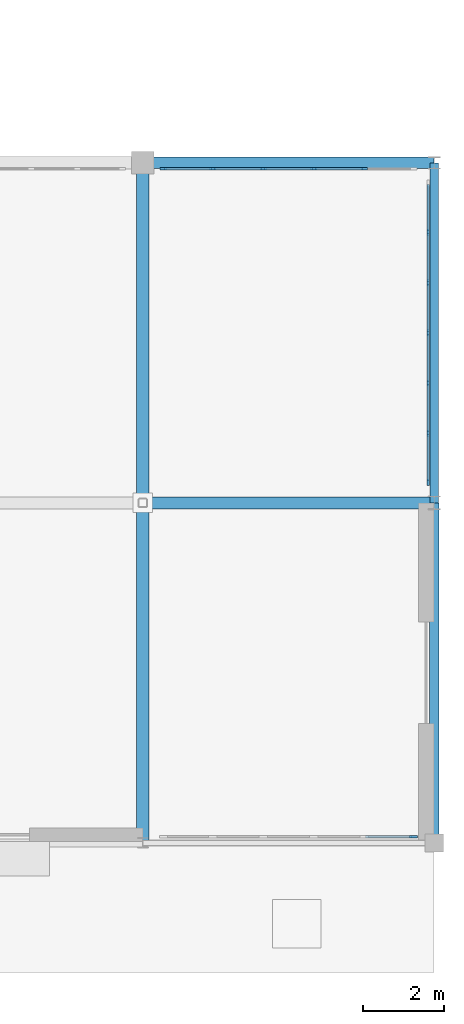
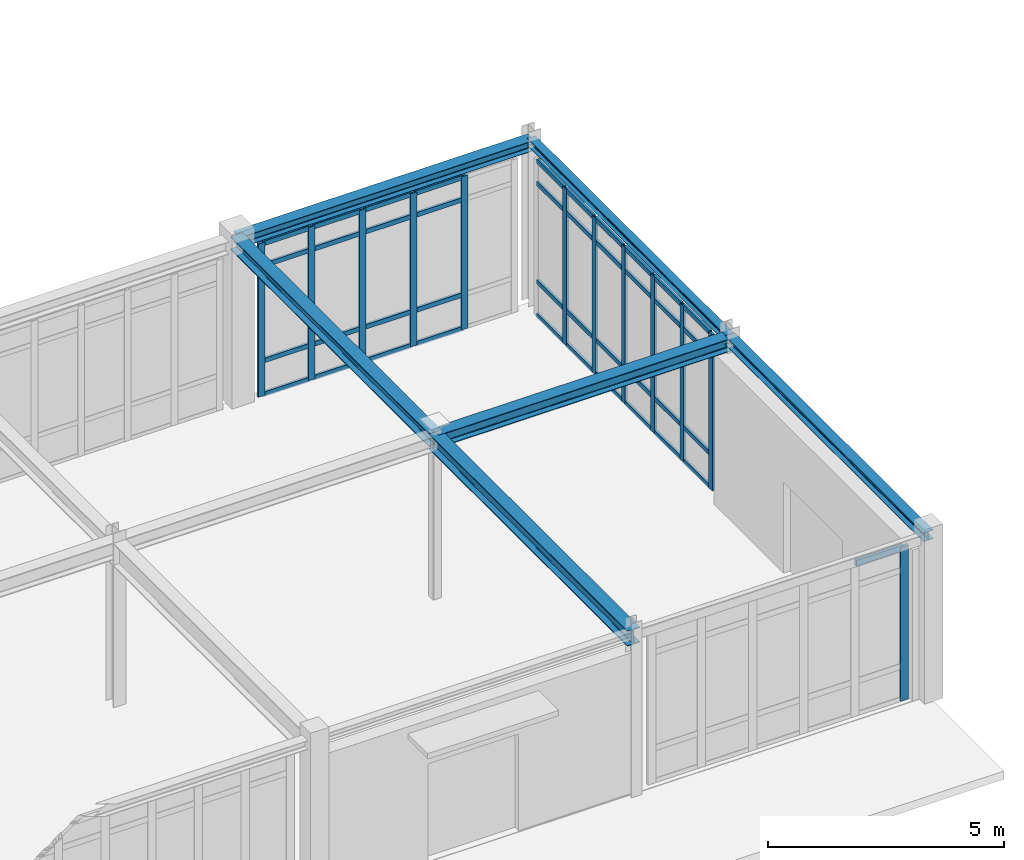
# One storey, part 54 of 101: 53 members, 6 beams, 3 elements without a shape of their own.
"""IFC4 building model written with IfcOpenShell, lengths in metres."""

from ifc_helpers import new_model, si_unit, derived_unit, direction, frame, origin, origin_2d, place, context, subcontext, project, spatial, rectangle, i_section, extrude, material, layer, layer_set, material_profile, profile_set, type_object, element, aggregate, save


model = new_model("IFC4")

# Units and contexts
model_context = context("Model", 3, precision=1e-05, world=origin(), true_north=direction((0.0, 1.0)))
body_context = subcontext(model_context, "Body", "Model", "MODEL_VIEW")
ifc_project = project(units=[si_unit("LENGTHUNIT", "METRE"), si_unit("AREAUNIT", "SQUARE_METRE"), si_unit("VOLUMEUNIT", "CUBIC_METRE"), si_unit("PLANEANGLEUNIT", "RADIAN"), si_unit("MASSUNIT", "GRAM", prefix="KILO"), derived_unit("THERMALTRANSMITTANCEUNIT", [(si_unit("POWERUNIT", "WATT"), 1), (si_unit("AREAUNIT", "SQUARE_METRE"), -1), (si_unit("THERMODYNAMICTEMPERATUREUNIT", "KELVIN"), -1)])], contexts=[model_context])

# Site, building, storey
site_placement = place(None, origin())
site = spatial("IfcSite", under=ifc_project, at=site_placement, CompositionType="ELEMENT")
building_placement = place(site_placement, origin())
building = spatial("IfcBuilding", under=site, at=building_placement, Name="Yasenodar Specialist Clinic", CompositionType="ELEMENT")
storey_placement = place(building_placement, origin())
storey = spatial("IfcBuildingStorey", under=building, at=storey_placement, Name="L00", CompositionType="ELEMENT", Elevation=0.0)

# Beams
ifc_material_1 = material(Name="Steel S355", Category="steel")
ifc_material_profile_1 = material_profile(ifc_material_1, i_section(OverallWidth=0.280029296875, OverallDepth=0.27001953125, WebThickness=0.008056640625, FlangeThickness=0.012939453125, FilletRadius=0.02392578125, at=origin_2d()), Name="HEA 280")
ifc_profile_set_1 = profile_set([ifc_material_profile_1], Name="Steel S355")
beam_type_1 = type_object("IfcBeamType", Name="BM-HEA280", PredefinedType="BEAM", material=ifc_profile_set_1)
beam_1_placement = place(storey_placement, frame((154.199951171875, 16.800048828125, 4.114990234375), z_axis=(1.0, 0.0, 0.0), x_axis=(0.0, 1.0, 0.0)))
element("IfcBeam", 1, at=beam_1_placement, inside=storey, type_object=beam_type_1, Name="L00 Primary E-W Girder", PredefinedType="BEAM", context=body_context, shape_type="SweptSolid", body=[
    extrude(i_section(OverallWidth=0.280029296875, OverallDepth=0.27001953125, WebThickness=0.008056640625, FlangeThickness=0.012939453125, FilletRadius=0.02392578125, at=origin_2d()), origin(), (0.0, 0.0, 1.0), 7.199951171875),
])
ifc_material_profile_2 = material_profile(ifc_material_1, i_section(OverallWidth=0.300048828125, OverallDepth=0.330078125, WebThickness=0.009521484375, FlangeThickness=0.0166015625, FilletRadius=0.027099609375, at=origin_2d()), Name="HEA 340")
ifc_profile_set_2 = profile_set([ifc_material_profile_2], Name="Steel S355")
beam_type_2 = type_object("IfcBeamType", Name="BM-HEA340", PredefinedType="BEAM", material=ifc_profile_set_2)
beam_2_placement = place(storey_placement, frame((154.199951171875, 8.39990234375, 4.0849609375), z_axis=(1.0, 0.0, 0.0), x_axis=(0.0, 1.0, 0.0)))
element("IfcBeam", 2, at=beam_2_placement, inside=storey, type_object=beam_type_2, Name="L00 Primary E-W Girder", PredefinedType="BEAM", context=body_context, shape_type="SweptSolid", body=[
    extrude(i_section(OverallWidth=0.300048828125, OverallDepth=0.330078125, WebThickness=0.009521484375, FlangeThickness=0.0166015625, FilletRadius=0.027099609375, at=origin_2d()), origin(), (0.0, 0.0, 1.0), 7.199951171875),
])
ifc_material_profile_3 = material_profile(ifc_material_1, i_section(OverallWidth=0.300048828125, OverallDepth=0.340087890625, WebThickness=0.011962890625, FlangeThickness=0.021484375, FilletRadius=0.027099609375, at=origin_2d()), Name="HEB 340")
ifc_profile_set_3 = profile_set([ifc_material_profile_3], Name="Steel S355")
beam_type_3 = type_object("IfcBeamType", Name="BM-HEB340", PredefinedType="BEAM", material=ifc_profile_set_3)
beam_3_placement = place(storey_placement, frame((154.199951171875, 8.39990234375, 4.080078125), z_axis=(0.0, 1.0, 0.0), x_axis=(-1.0, 0.0, 0.0)))
element("IfcBeam", 3, at=beam_3_placement, inside=storey, type_object=beam_type_3, Name="L00 Primary N-S Girder", PredefinedType="BEAM", context=body_context, shape_type="SweptSolid", body=[
    extrude(i_section(OverallWidth=0.300048828125, OverallDepth=0.340087890625, WebThickness=0.011962890625, FlangeThickness=0.021484375, FilletRadius=0.027099609375, at=origin_2d()), origin(), (0.0, 0.0, 1.0), 8.400146484375),
])
ifc_material_profile_4 = material_profile(ifc_material_1, i_section(OverallWidth=0.300048828125, OverallDepth=0.39990234375, WebThickness=0.013427734375, FlangeThickness=0.02392578125, FilletRadius=0.027099609375, at=origin_2d()), Name="HEB 400")
ifc_profile_set_4 = profile_set([ifc_material_profile_4], Name="Steel S355")
beam_type_4 = type_object("IfcBeamType", Name="BM-HEB400", PredefinedType="BEAM", material=ifc_profile_set_4)
beam_4_placement = place(storey_placement, frame((154.199951171875, 0.0, 4.050048828125), z_axis=(0.0, 1.0, 0.0), x_axis=(-1.0, 0.0, 0.0)))
element("IfcBeam", 4, at=beam_4_placement, inside=storey, type_object=beam_type_4, Name="L00 Primary N-S Girder", PredefinedType="BEAM", context=body_context, shape_type="SweptSolid", body=[
    extrude(i_section(OverallWidth=0.300048828125, OverallDepth=0.39990234375, WebThickness=0.013427734375, FlangeThickness=0.02392578125, FilletRadius=0.027099609375, at=origin_2d()), origin(), (0.0, 0.0, 1.0), 8.39990234375),
])

# Curtain wall, members
ifc_material_2 = material(Name="Bronze Anodized Aluminium and Triple Low-E Glass", Category="aluminium")
ifc_layer = layer(ifc_material_2, 0.178955078125)
ifc_layer_set = layer_set([ifc_layer], Name="Bronze Anodized Aluminium and Triple Low-E Glass")
curtain_wall_type = type_object("IfcCurtainWallType", Name="CW-SYS-02", PredefinedType="USERDEFINED", material=ifc_layer_set)
curtain_wall_1_placement = place(storey_placement, origin())
curtain_wall_1 = element("IfcCurtainWall", 5, at=curtain_wall_1_placement, inside=storey, type_object=curtain_wall_type, Name="L00 Unitised Curtain Wall 086", ObjectType="UNITISED CURTAIN WALL", PredefinedType="USERDEFINED")
ifc_material_3 = material(Name="Bronze Anodized Aluminium", Category="aluminium")
ifc_material_profile_5 = material_profile(ifc_material_3, rectangle(XDim=0.06005859375, YDim=0.159912109375, at=origin_2d()), Name="CW-MULL 60x160")
ifc_profile_set_5 = profile_set([ifc_material_profile_5], Name="Bronze Anodized Aluminium")
member_type_1 = type_object("IfcMemberType", Name="CW-MULL-160", PredefinedType="MULLION", material=ifc_profile_set_5)
member_1_placement = place(storey_placement, frame((161.25, 15.080078125, 0.0), z_axis=(0.0, 0.0, 1.0), x_axis=(1.0, 0.0, 0.0)))
member_1 = element("IfcMember", 6, at=member_1_placement, type_object=member_type_1, Name="CW-02 mullion 2", PredefinedType="MULLION", context=body_context, shape_type="SweptSolid", body=[
    extrude(rectangle(XDim=0.06005859375, YDim=0.159912109375, at=origin_2d()), origin(), (0.0, 0.0, 1.0), 4.0380859375),
])
member_2_placement = place(storey_placement, frame((161.25, 13.840087890625, 0.0), z_axis=(0.0, 0.0, 1.0), x_axis=(1.0, 0.0, 0.0)))
member_2 = element("IfcMember", 7, at=member_2_placement, type_object=member_type_1, Name="CW-02 mullion 3", PredefinedType="MULLION", context=body_context, shape_type="SweptSolid", body=[
    extrude(rectangle(XDim=0.06005859375, YDim=0.159912109375, at=origin_2d()), origin(), (0.0, 0.0, 1.0), 4.0380859375),
])
member_3_placement = place(storey_placement, frame((161.25, 12.60009765625, 0.0), z_axis=(0.0, 0.0, 1.0), x_axis=(1.0, 0.0, 0.0)))
member_3 = element("IfcMember", 8, at=member_3_placement, type_object=member_type_1, Name="CW-02 mullion 4", PredefinedType="MULLION", context=body_context, shape_type="SweptSolid", body=[
    extrude(rectangle(XDim=0.06005859375, YDim=0.159912109375, at=origin_2d()), origin(), (0.0, 0.0, 1.0), 4.0380859375),
])
member_4_placement = place(storey_placement, frame((161.25, 11.360107421875, 0.0), z_axis=(0.0, 0.0, 1.0), x_axis=(1.0, 0.0, 0.0)))
member_4 = element("IfcMember", 9, at=member_4_placement, type_object=member_type_1, Name="CW-02 mullion 5", PredefinedType="MULLION", context=body_context, shape_type="SweptSolid", body=[
    extrude(rectangle(XDim=0.06005859375, YDim=0.159912109375, at=origin_2d()), origin(), (0.0, 0.0, 1.0), 4.0380859375),
])
member_5_placement = place(storey_placement, frame((161.25, 10.1201171875, 0.0), z_axis=(0.0, 0.0, 1.0), x_axis=(1.0, 0.0, 0.0)))
member_5 = element("IfcMember", 10, at=member_5_placement, type_object=member_type_1, Name="CW-02 mullion 6", PredefinedType="MULLION", context=body_context, shape_type="SweptSolid", body=[
    extrude(rectangle(XDim=0.06005859375, YDim=0.159912109375, at=origin_2d()), origin(), (0.0, 0.0, 1.0), 4.0380859375),
])
member_6_placement = place(storey_placement, frame((161.25, 8.909912109375, 0.0), z_axis=(0.0, 0.0, 1.0), x_axis=(1.0, 0.0, 0.0)))
member_6 = element("IfcMember", 11, at=member_6_placement, type_object=member_type_1, Name="CW-02 mullion 7", PredefinedType="MULLION", context=body_context, shape_type="SweptSolid", body=[
    extrude(rectangle(XDim=0.06005859375, YDim=0.159912109375, at=origin_2d()), origin(), (0.0, 0.0, 1.0), 4.0380859375),
])

curtain_wall_2_placement = place(storey_placement, origin())
curtain_wall_2 = element("IfcCurtainWall", 12, at=curtain_wall_2_placement, inside=storey, type_object=curtain_wall_type, Name="L00 Unitised Curtain Wall 089", ObjectType="UNITISED CURTAIN WALL", PredefinedType="USERDEFINED")
member_7_placement = place(storey_placement, frame((154.7099609375, 16.64990234375, 0.0), z_axis=(0.0, 0.0, 1.0), x_axis=(0.0, 1.0, 0.0)))
member_7 = element("IfcMember", 13, at=member_7_placement, type_object=member_type_1, Name="CW-02 mullion 1", PredefinedType="MULLION", context=body_context, shape_type="SweptSolid", body=[
    extrude(rectangle(XDim=0.06005859375, YDim=0.159912109375, at=origin_2d()), origin(), (0.0, 0.0, 1.0), 3.9580078125),
])
member_8_placement = place(storey_placement, frame((155.927978515625, 16.64990234375, 0.0), z_axis=(0.0, 0.0, 1.0), x_axis=(0.0, 1.0, 0.0)))
member_8 = element("IfcMember", 14, at=member_8_placement, type_object=member_type_1, Name="CW-02 mullion 2", PredefinedType="MULLION", context=body_context, shape_type="SweptSolid", body=[
    extrude(rectangle(XDim=0.06005859375, YDim=0.159912109375, at=origin_2d()), origin(), (0.0, 0.0, 1.0), 3.9580078125),
])
member_9_placement = place(storey_placement, frame((157.176025390625, 16.64990234375, 0.0), z_axis=(0.0, 0.0, 1.0), x_axis=(0.0, 1.0, 0.0)))
member_9 = element("IfcMember", 15, at=member_9_placement, type_object=member_type_1, Name="CW-02 mullion 3", PredefinedType="MULLION", context=body_context, shape_type="SweptSolid", body=[
    extrude(rectangle(XDim=0.06005859375, YDim=0.159912109375, at=origin_2d()), origin(), (0.0, 0.0, 1.0), 3.9580078125),
])
member_10_placement = place(storey_placement, frame((158.424072265625, 16.64990234375, 0.0), z_axis=(0.0, 0.0, 1.0), x_axis=(0.0, 1.0, 0.0)))
member_10 = element("IfcMember", 16, at=member_10_placement, type_object=member_type_1, Name="CW-02 mullion 4", PredefinedType="MULLION", context=body_context, shape_type="SweptSolid", body=[
    extrude(rectangle(XDim=0.06005859375, YDim=0.159912109375, at=origin_2d()), origin(), (0.0, 0.0, 1.0), 3.9580078125),
])
member_11_placement = place(storey_placement, frame((159.672119140625, 16.64990234375, 0.0), z_axis=(0.0, 0.0, 1.0), x_axis=(0.0, 1.0, 0.0)))
member_11 = element("IfcMember", 17, at=member_11_placement, type_object=member_type_1, Name="CW-02 mullion 5", PredefinedType="MULLION", context=body_context, shape_type="SweptSolid", body=[
    extrude(rectangle(XDim=0.06005859375, YDim=0.159912109375, at=origin_2d()), origin(), (0.0, 0.0, 1.0), 3.9580078125),
])

# Curtain wall, member
curtain_wall_3_placement = place(storey_placement, origin())
curtain_wall_3 = element("IfcCurtainWall", 18, at=curtain_wall_3_placement, inside=storey, type_object=curtain_wall_type, Name="L00 Unitised Curtain Wall 078", ObjectType="UNITISED CURTAIN WALL", PredefinedType="USERDEFINED")
ifc_material_profile_6 = material_profile(ifc_material_3, rectangle(XDim=0.070068359375, YDim=0.199951171875, at=origin_2d()), Name="CW-MULL 70x200")
ifc_profile_set_6 = profile_set([ifc_material_profile_6], Name="Bronze Anodized Aluminium")
member_type_2 = type_object("IfcMemberType", Name="CW-MULL-200", PredefinedType="MULLION", material=ifc_profile_set_6)
member_12_placement = place(storey_placement, frame((160.885009765625, 0.14990234375, 0.0), z_axis=(0.0, 0.0, 1.0), x_axis=(0.0, -1.0, 0.0)))
member_12 = element("IfcMember", 19, at=member_12_placement, type_object=member_type_2, Name="CW-02 mullion 1", PredefinedType="MULLION", context=body_context, shape_type="SweptSolid", body=[
    extrude(rectangle(XDim=0.070068359375, YDim=0.199951171875, at=origin_2d()), origin(), (0.0, 0.0, 1.0), 3.97802734375),
])

# Member
ifc_material_profile_7 = material_profile(ifc_material_3, rectangle(XDim=0.06005859375, YDim=0.1201171875, at=origin_2d()), Name="CW-TRAN 60x120")
ifc_profile_set_7 = profile_set([ifc_material_profile_7], Name="Bronze Anodized Aluminium")
member_type_3 = type_object("IfcMemberType", Name="CW-TRAN-120", PredefinedType="USERDEFINED", material=ifc_profile_set_7)
member_13_placement = place(storey_placement, frame((161.25, 16.260009765625, 0.030029296875), z_axis=(0.0, -1.0, 0.0), x_axis=(1.0, 0.0, 0.0)))
member_13 = element("IfcMember", 20, at=member_13_placement, type_object=member_type_3, Name="CW-02 transom 1.1", ObjectType="TRANSOM", PredefinedType="USERDEFINED", context=body_context, shape_type="SweptSolid", body=[
    extrude(rectangle(XDim=0.06005859375, YDim=0.1201171875, at=origin_2d()), origin(), (0.0, 0.0, 1.0), 1.14990234375),
])

member_14_placement = place(storey_placement, frame((161.25, 16.260009765625, 0.89990234375), z_axis=(0.0, -1.0, 0.0), x_axis=(1.0, 0.0, 0.0)))
member_14 = element("IfcMember", 21, at=member_14_placement, type_object=member_type_3, Name="CW-02 transom 1.2", ObjectType="TRANSOM", PredefinedType="USERDEFINED", context=body_context, shape_type="SweptSolid", body=[
    extrude(rectangle(XDim=0.06005859375, YDim=0.1201171875, at=origin_2d()), origin(), (0.0, 0.0, 1.0), 1.14990234375),
])

member_15_placement = place(storey_placement, frame((161.25, 16.260009765625, 3.43798828125), z_axis=(0.0, -1.0, 0.0), x_axis=(1.0, 0.0, 0.0)))
member_15 = element("IfcMember", 22, at=member_15_placement, type_object=member_type_3, Name="CW-02 transom 1.3", ObjectType="TRANSOM", PredefinedType="USERDEFINED", context=body_context, shape_type="SweptSolid", body=[
    extrude(rectangle(XDim=0.06005859375, YDim=0.1201171875, at=origin_2d()), origin(), (0.0, 0.0, 1.0), 1.14990234375),
])

member_16_placement = place(storey_placement, frame((161.25, 16.260009765625, 4.008056640625), z_axis=(0.0, -1.0, 0.0), x_axis=(1.0, 0.0, 0.0)))
member_16 = element("IfcMember", 23, at=member_16_placement, type_object=member_type_3, Name="CW-02 transom 1.4", ObjectType="TRANSOM", PredefinedType="USERDEFINED", context=body_context, shape_type="SweptSolid", body=[
    extrude(rectangle(XDim=0.06005859375, YDim=0.1201171875, at=origin_2d()), origin(), (0.0, 0.0, 1.0), 1.14990234375),
])

member_17_placement = place(storey_placement, frame((161.25, 15.050048828125, 0.030029296875), z_axis=(0.0, -1.0, 0.0), x_axis=(1.0, 0.0, 0.0)))
member_17 = element("IfcMember", 24, at=member_17_placement, type_object=member_type_3, Name="CW-02 transom 2.1", ObjectType="TRANSOM", PredefinedType="USERDEFINED", context=body_context, shape_type="SweptSolid", body=[
    extrude(rectangle(XDim=0.06005859375, YDim=0.1201171875, at=origin_2d()), origin(), (0.0, 0.0, 1.0), 1.179931640625),
])

member_18_placement = place(storey_placement, frame((161.25, 15.050048828125, 0.89990234375), z_axis=(0.0, -1.0, 0.0), x_axis=(1.0, 0.0, 0.0)))
member_18 = element("IfcMember", 25, at=member_18_placement, type_object=member_type_3, Name="CW-02 transom 2.2", ObjectType="TRANSOM", PredefinedType="USERDEFINED", context=body_context, shape_type="SweptSolid", body=[
    extrude(rectangle(XDim=0.06005859375, YDim=0.1201171875, at=origin_2d()), origin(), (0.0, 0.0, 1.0), 1.179931640625),
])

member_19_placement = place(storey_placement, frame((161.25, 15.050048828125, 3.43798828125), z_axis=(0.0, -1.0, 0.0), x_axis=(1.0, 0.0, 0.0)))
member_19 = element("IfcMember", 26, at=member_19_placement, type_object=member_type_3, Name="CW-02 transom 2.3", ObjectType="TRANSOM", PredefinedType="USERDEFINED", context=body_context, shape_type="SweptSolid", body=[
    extrude(rectangle(XDim=0.06005859375, YDim=0.1201171875, at=origin_2d()), origin(), (0.0, 0.0, 1.0), 1.179931640625),
])

member_20_placement = place(storey_placement, frame((161.25, 15.050048828125, 4.008056640625), z_axis=(0.0, -1.0, 0.0), x_axis=(1.0, 0.0, 0.0)))
member_20 = element("IfcMember", 27, at=member_20_placement, type_object=member_type_3, Name="CW-02 transom 2.4", ObjectType="TRANSOM", PredefinedType="USERDEFINED", context=body_context, shape_type="SweptSolid", body=[
    extrude(rectangle(XDim=0.06005859375, YDim=0.1201171875, at=origin_2d()), origin(), (0.0, 0.0, 1.0), 1.179931640625),
])

member_21_placement = place(storey_placement, frame((161.25, 13.81005859375, 0.030029296875), z_axis=(0.0, -1.0, 0.0), x_axis=(1.0, 0.0, 0.0)))
member_21 = element("IfcMember", 28, at=member_21_placement, type_object=member_type_3, Name="CW-02 transom 3.1", ObjectType="TRANSOM", PredefinedType="USERDEFINED", context=body_context, shape_type="SweptSolid", body=[
    extrude(rectangle(XDim=0.06005859375, YDim=0.1201171875, at=origin_2d()), origin(), (0.0, 0.0, 1.0), 1.18017578125),
])

member_22_placement = place(storey_placement, frame((161.25, 13.81005859375, 0.89990234375), z_axis=(0.0, -1.0, 0.0), x_axis=(1.0, 0.0, 0.0)))
member_22 = element("IfcMember", 29, at=member_22_placement, type_object=member_type_3, Name="CW-02 transom 3.2", ObjectType="TRANSOM", PredefinedType="USERDEFINED", context=body_context, shape_type="SweptSolid", body=[
    extrude(rectangle(XDim=0.06005859375, YDim=0.1201171875, at=origin_2d()), origin(), (0.0, 0.0, 1.0), 1.18017578125),
])

member_23_placement = place(storey_placement, frame((161.25, 13.81005859375, 3.43798828125), z_axis=(0.0, -1.0, 0.0), x_axis=(1.0, 0.0, 0.0)))
member_23 = element("IfcMember", 30, at=member_23_placement, type_object=member_type_3, Name="CW-02 transom 3.3", ObjectType="TRANSOM", PredefinedType="USERDEFINED", context=body_context, shape_type="SweptSolid", body=[
    extrude(rectangle(XDim=0.06005859375, YDim=0.1201171875, at=origin_2d()), origin(), (0.0, 0.0, 1.0), 1.18017578125),
])

member_24_placement = place(storey_placement, frame((161.25, 13.81005859375, 4.008056640625), z_axis=(0.0, -1.0, 0.0), x_axis=(1.0, 0.0, 0.0)))
member_24 = element("IfcMember", 31, at=member_24_placement, type_object=member_type_3, Name="CW-02 transom 3.4", ObjectType="TRANSOM", PredefinedType="USERDEFINED", context=body_context, shape_type="SweptSolid", body=[
    extrude(rectangle(XDim=0.06005859375, YDim=0.1201171875, at=origin_2d()), origin(), (0.0, 0.0, 1.0), 1.18017578125),
])

member_25_placement = place(storey_placement, frame((161.25, 12.570068359375, 0.030029296875), z_axis=(0.0, -1.0, 0.0), x_axis=(1.0, 0.0, 0.0)))
member_25 = element("IfcMember", 32, at=member_25_placement, type_object=member_type_3, Name="CW-02 transom 4.1", ObjectType="TRANSOM", PredefinedType="USERDEFINED", context=body_context, shape_type="SweptSolid", body=[
    extrude(rectangle(XDim=0.06005859375, YDim=0.1201171875, at=origin_2d()), origin(), (0.0, 0.0, 1.0), 1.18017578125),
])

member_26_placement = place(storey_placement, frame((161.25, 12.570068359375, 0.89990234375), z_axis=(0.0, -1.0, 0.0), x_axis=(1.0, 0.0, 0.0)))
member_26 = element("IfcMember", 33, at=member_26_placement, type_object=member_type_3, Name="CW-02 transom 4.2", ObjectType="TRANSOM", PredefinedType="USERDEFINED", context=body_context, shape_type="SweptSolid", body=[
    extrude(rectangle(XDim=0.06005859375, YDim=0.1201171875, at=origin_2d()), origin(), (0.0, 0.0, 1.0), 1.18017578125),
])

member_27_placement = place(storey_placement, frame((161.25, 12.570068359375, 3.43798828125), z_axis=(0.0, -1.0, 0.0), x_axis=(1.0, 0.0, 0.0)))
member_27 = element("IfcMember", 34, at=member_27_placement, type_object=member_type_3, Name="CW-02 transom 4.3", ObjectType="TRANSOM", PredefinedType="USERDEFINED", context=body_context, shape_type="SweptSolid", body=[
    extrude(rectangle(XDim=0.06005859375, YDim=0.1201171875, at=origin_2d()), origin(), (0.0, 0.0, 1.0), 1.18017578125),
])

member_28_placement = place(storey_placement, frame((161.25, 12.570068359375, 4.008056640625), z_axis=(0.0, -1.0, 0.0), x_axis=(1.0, 0.0, 0.0)))
member_28 = element("IfcMember", 35, at=member_28_placement, type_object=member_type_3, Name="CW-02 transom 4.4", ObjectType="TRANSOM", PredefinedType="USERDEFINED", context=body_context, shape_type="SweptSolid", body=[
    extrude(rectangle(XDim=0.06005859375, YDim=0.1201171875, at=origin_2d()), origin(), (0.0, 0.0, 1.0), 1.18017578125),
])

member_29_placement = place(storey_placement, frame((161.25, 11.330078125, 0.030029296875), z_axis=(0.0, -1.0, 0.0), x_axis=(1.0, 0.0, 0.0)))
member_29 = element("IfcMember", 36, at=member_29_placement, type_object=member_type_3, Name="CW-02 transom 5.1", ObjectType="TRANSOM", PredefinedType="USERDEFINED", context=body_context, shape_type="SweptSolid", body=[
    extrude(rectangle(XDim=0.06005859375, YDim=0.1201171875, at=origin_2d()), origin(), (0.0, 0.0, 1.0), 1.18017578125),
])

member_30_placement = place(storey_placement, frame((161.25, 11.330078125, 0.89990234375), z_axis=(0.0, -1.0, 0.0), x_axis=(1.0, 0.0, 0.0)))
member_30 = element("IfcMember", 37, at=member_30_placement, type_object=member_type_3, Name="CW-02 transom 5.2", ObjectType="TRANSOM", PredefinedType="USERDEFINED", context=body_context, shape_type="SweptSolid", body=[
    extrude(rectangle(XDim=0.06005859375, YDim=0.1201171875, at=origin_2d()), origin(), (0.0, 0.0, 1.0), 1.18017578125),
])

member_31_placement = place(storey_placement, frame((161.25, 11.330078125, 3.43798828125), z_axis=(0.0, -1.0, 0.0), x_axis=(1.0, 0.0, 0.0)))
member_31 = element("IfcMember", 38, at=member_31_placement, type_object=member_type_3, Name="CW-02 transom 5.3", ObjectType="TRANSOM", PredefinedType="USERDEFINED", context=body_context, shape_type="SweptSolid", body=[
    extrude(rectangle(XDim=0.06005859375, YDim=0.1201171875, at=origin_2d()), origin(), (0.0, 0.0, 1.0), 1.18017578125),
])

member_32_placement = place(storey_placement, frame((161.25, 11.330078125, 4.008056640625), z_axis=(0.0, -1.0, 0.0), x_axis=(1.0, 0.0, 0.0)))
member_32 = element("IfcMember", 39, at=member_32_placement, type_object=member_type_3, Name="CW-02 transom 5.4", ObjectType="TRANSOM", PredefinedType="USERDEFINED", context=body_context, shape_type="SweptSolid", body=[
    extrude(rectangle(XDim=0.06005859375, YDim=0.1201171875, at=origin_2d()), origin(), (0.0, 0.0, 1.0), 1.18017578125),
])

member_33_placement = place(storey_placement, frame((161.25, 10.090087890625, 0.030029296875), z_axis=(0.0, -1.0, 0.0), x_axis=(1.0, 0.0, 0.0)))
member_33 = element("IfcMember", 40, at=member_33_placement, type_object=member_type_3, Name="CW-02 transom 6.1", ObjectType="TRANSOM", PredefinedType="USERDEFINED", context=body_context, shape_type="SweptSolid", body=[
    extrude(rectangle(XDim=0.06005859375, YDim=0.1201171875, at=origin_2d()), origin(), (0.0, 0.0, 1.0), 1.150146484375),
])

member_34_placement = place(storey_placement, frame((161.25, 10.090087890625, 0.89990234375), z_axis=(0.0, -1.0, 0.0), x_axis=(1.0, 0.0, 0.0)))
member_34 = element("IfcMember", 41, at=member_34_placement, type_object=member_type_3, Name="CW-02 transom 6.2", ObjectType="TRANSOM", PredefinedType="USERDEFINED", context=body_context, shape_type="SweptSolid", body=[
    extrude(rectangle(XDim=0.06005859375, YDim=0.1201171875, at=origin_2d()), origin(), (0.0, 0.0, 1.0), 1.150146484375),
])

member_35_placement = place(storey_placement, frame((161.25, 10.090087890625, 3.43798828125), z_axis=(0.0, -1.0, 0.0), x_axis=(1.0, 0.0, 0.0)))
member_35 = element("IfcMember", 42, at=member_35_placement, type_object=member_type_3, Name="CW-02 transom 6.3", ObjectType="TRANSOM", PredefinedType="USERDEFINED", context=body_context, shape_type="SweptSolid", body=[
    extrude(rectangle(XDim=0.06005859375, YDim=0.1201171875, at=origin_2d()), origin(), (0.0, 0.0, 1.0), 1.150146484375),
])

member_36_placement = place(storey_placement, frame((161.25, 10.090087890625, 4.008056640625), z_axis=(0.0, -1.0, 0.0), x_axis=(1.0, 0.0, 0.0)))
member_36 = element("IfcMember", 43, at=member_36_placement, type_object=member_type_3, Name="CW-02 transom 6.4", ObjectType="TRANSOM", PredefinedType="USERDEFINED", context=body_context, shape_type="SweptSolid", body=[
    extrude(rectangle(XDim=0.06005859375, YDim=0.1201171875, at=origin_2d()), origin(), (0.0, 0.0, 1.0), 1.150146484375),
])

aggregate(curtain_wall_1, [member_1, member_2, member_3, member_4, member_5, member_6, member_13, member_14, member_15, member_16, member_17, member_18, member_19, member_20, member_21, member_22, member_23, member_24, member_25, member_26, member_27, member_28, member_29, member_30, member_31, member_32, member_33, member_34, member_35, member_36])

member_37_placement = place(storey_placement, frame((154.739990234375, 16.64990234375, 0.030029296875), z_axis=(1.0, 0.0, 0.0), x_axis=(0.0, 1.0, 0.0)))
member_37 = element("IfcMember", 44, at=member_37_placement, type_object=member_type_3, Name="CW-02 transom 1.1", ObjectType="TRANSOM", PredefinedType="USERDEFINED", context=body_context, shape_type="SweptSolid", body=[
    extrude(rectangle(XDim=0.06005859375, YDim=0.1201171875, at=origin_2d()), origin(), (0.0, 0.0, 1.0), 1.157958984375),
])

member_38_placement = place(storey_placement, frame((154.739990234375, 16.64990234375, 0.89990234375), z_axis=(1.0, 0.0, 0.0), x_axis=(0.0, 1.0, 0.0)))
member_38 = element("IfcMember", 45, at=member_38_placement, type_object=member_type_3, Name="CW-02 transom 1.2", ObjectType="TRANSOM", PredefinedType="USERDEFINED", context=body_context, shape_type="SweptSolid", body=[
    extrude(rectangle(XDim=0.06005859375, YDim=0.1201171875, at=origin_2d()), origin(), (0.0, 0.0, 1.0), 1.157958984375),
])

member_39_placement = place(storey_placement, frame((154.739990234375, 16.64990234375, 3.35791015625), z_axis=(1.0, 0.0, 0.0), x_axis=(0.0, 1.0, 0.0)))
member_39 = element("IfcMember", 46, at=member_39_placement, type_object=member_type_3, Name="CW-02 transom 1.3", ObjectType="TRANSOM", PredefinedType="USERDEFINED", context=body_context, shape_type="SweptSolid", body=[
    extrude(rectangle(XDim=0.06005859375, YDim=0.1201171875, at=origin_2d()), origin(), (0.0, 0.0, 1.0), 1.157958984375),
])

member_40_placement = place(storey_placement, frame((154.739990234375, 16.64990234375, 3.927978515625), z_axis=(1.0, 0.0, 0.0), x_axis=(0.0, 1.0, 0.0)))
member_40 = element("IfcMember", 47, at=member_40_placement, type_object=member_type_3, Name="CW-02 transom 1.4", ObjectType="TRANSOM", PredefinedType="USERDEFINED", context=body_context, shape_type="SweptSolid", body=[
    extrude(rectangle(XDim=0.06005859375, YDim=0.1201171875, at=origin_2d()), origin(), (0.0, 0.0, 1.0), 1.157958984375),
])

member_41_placement = place(storey_placement, frame((155.9580078125, 16.64990234375, 0.030029296875), z_axis=(1.0, 0.0, 0.0), x_axis=(0.0, 1.0, 0.0)))
member_41 = element("IfcMember", 48, at=member_41_placement, type_object=member_type_3, Name="CW-02 transom 2.1", ObjectType="TRANSOM", PredefinedType="USERDEFINED", context=body_context, shape_type="SweptSolid", body=[
    extrude(rectangle(XDim=0.06005859375, YDim=0.1201171875, at=origin_2d()), origin(), (0.0, 0.0, 1.0), 1.18798828125),
])

member_42_placement = place(storey_placement, frame((155.9580078125, 16.64990234375, 0.89990234375), z_axis=(1.0, 0.0, 0.0), x_axis=(0.0, 1.0, 0.0)))
member_42 = element("IfcMember", 49, at=member_42_placement, type_object=member_type_3, Name="CW-02 transom 2.2", ObjectType="TRANSOM", PredefinedType="USERDEFINED", context=body_context, shape_type="SweptSolid", body=[
    extrude(rectangle(XDim=0.06005859375, YDim=0.1201171875, at=origin_2d()), origin(), (0.0, 0.0, 1.0), 1.18798828125),
])

member_43_placement = place(storey_placement, frame((155.9580078125, 16.64990234375, 3.35791015625), z_axis=(1.0, 0.0, 0.0), x_axis=(0.0, 1.0, 0.0)))
member_43 = element("IfcMember", 50, at=member_43_placement, type_object=member_type_3, Name="CW-02 transom 2.3", ObjectType="TRANSOM", PredefinedType="USERDEFINED", context=body_context, shape_type="SweptSolid", body=[
    extrude(rectangle(XDim=0.06005859375, YDim=0.1201171875, at=origin_2d()), origin(), (0.0, 0.0, 1.0), 1.18798828125),
])

member_44_placement = place(storey_placement, frame((155.9580078125, 16.64990234375, 3.927978515625), z_axis=(1.0, 0.0, 0.0), x_axis=(0.0, 1.0, 0.0)))
member_44 = element("IfcMember", 51, at=member_44_placement, type_object=member_type_3, Name="CW-02 transom 2.4", ObjectType="TRANSOM", PredefinedType="USERDEFINED", context=body_context, shape_type="SweptSolid", body=[
    extrude(rectangle(XDim=0.06005859375, YDim=0.1201171875, at=origin_2d()), origin(), (0.0, 0.0, 1.0), 1.18798828125),
])

member_45_placement = place(storey_placement, frame((157.2060546875, 16.64990234375, 0.030029296875), z_axis=(1.0, 0.0, 0.0), x_axis=(0.0, 1.0, 0.0)))
member_45 = element("IfcMember", 52, at=member_45_placement, type_object=member_type_3, Name="CW-02 transom 3.1", ObjectType="TRANSOM", PredefinedType="USERDEFINED", context=body_context, shape_type="SweptSolid", body=[
    extrude(rectangle(XDim=0.06005859375, YDim=0.1201171875, at=origin_2d()), origin(), (0.0, 0.0, 1.0), 1.18798828125),
])

member_46_placement = place(storey_placement, frame((157.2060546875, 16.64990234375, 0.89990234375), z_axis=(1.0, 0.0, 0.0), x_axis=(0.0, 1.0, 0.0)))
member_46 = element("IfcMember", 53, at=member_46_placement, type_object=member_type_3, Name="CW-02 transom 3.2", ObjectType="TRANSOM", PredefinedType="USERDEFINED", context=body_context, shape_type="SweptSolid", body=[
    extrude(rectangle(XDim=0.06005859375, YDim=0.1201171875, at=origin_2d()), origin(), (0.0, 0.0, 1.0), 1.18798828125),
])

member_47_placement = place(storey_placement, frame((157.2060546875, 16.64990234375, 3.35791015625), z_axis=(1.0, 0.0, 0.0), x_axis=(0.0, 1.0, 0.0)))
member_47 = element("IfcMember", 54, at=member_47_placement, type_object=member_type_3, Name="CW-02 transom 3.3", ObjectType="TRANSOM", PredefinedType="USERDEFINED", context=body_context, shape_type="SweptSolid", body=[
    extrude(rectangle(XDim=0.06005859375, YDim=0.1201171875, at=origin_2d()), origin(), (0.0, 0.0, 1.0), 1.18798828125),
])

member_48_placement = place(storey_placement, frame((157.2060546875, 16.64990234375, 3.927978515625), z_axis=(1.0, 0.0, 0.0), x_axis=(0.0, 1.0, 0.0)))
member_48 = element("IfcMember", 55, at=member_48_placement, type_object=member_type_3, Name="CW-02 transom 3.4", ObjectType="TRANSOM", PredefinedType="USERDEFINED", context=body_context, shape_type="SweptSolid", body=[
    extrude(rectangle(XDim=0.06005859375, YDim=0.1201171875, at=origin_2d()), origin(), (0.0, 0.0, 1.0), 1.18798828125),
])

member_49_placement = place(storey_placement, frame((158.4541015625, 16.64990234375, 0.030029296875), z_axis=(1.0, 0.0, 0.0), x_axis=(0.0, 1.0, 0.0)))
member_49 = element("IfcMember", 56, at=member_49_placement, type_object=member_type_3, Name="CW-02 transom 4.1", ObjectType="TRANSOM", PredefinedType="USERDEFINED", context=body_context, shape_type="SweptSolid", body=[
    extrude(rectangle(XDim=0.06005859375, YDim=0.1201171875, at=origin_2d()), origin(), (0.0, 0.0, 1.0), 1.18798828125),
])

member_50_placement = place(storey_placement, frame((158.4541015625, 16.64990234375, 0.89990234375), z_axis=(1.0, 0.0, 0.0), x_axis=(0.0, 1.0, 0.0)))
member_50 = element("IfcMember", 57, at=member_50_placement, type_object=member_type_3, Name="CW-02 transom 4.2", ObjectType="TRANSOM", PredefinedType="USERDEFINED", context=body_context, shape_type="SweptSolid", body=[
    extrude(rectangle(XDim=0.06005859375, YDim=0.1201171875, at=origin_2d()), origin(), (0.0, 0.0, 1.0), 1.18798828125),
])

member_51_placement = place(storey_placement, frame((158.4541015625, 16.64990234375, 3.35791015625), z_axis=(1.0, 0.0, 0.0), x_axis=(0.0, 1.0, 0.0)))
member_51 = element("IfcMember", 58, at=member_51_placement, type_object=member_type_3, Name="CW-02 transom 4.3", ObjectType="TRANSOM", PredefinedType="USERDEFINED", context=body_context, shape_type="SweptSolid", body=[
    extrude(rectangle(XDim=0.06005859375, YDim=0.1201171875, at=origin_2d()), origin(), (0.0, 0.0, 1.0), 1.18798828125),
])

member_52_placement = place(storey_placement, frame((158.4541015625, 16.64990234375, 3.927978515625), z_axis=(1.0, 0.0, 0.0), x_axis=(0.0, 1.0, 0.0)))
member_52 = element("IfcMember", 59, at=member_52_placement, type_object=member_type_3, Name="CW-02 transom 4.4", ObjectType="TRANSOM", PredefinedType="USERDEFINED", context=body_context, shape_type="SweptSolid", body=[
    extrude(rectangle(XDim=0.06005859375, YDim=0.1201171875, at=origin_2d()), origin(), (0.0, 0.0, 1.0), 1.18798828125),
])

aggregate(curtain_wall_2, [member_7, member_8, member_9, member_10, member_11, member_37, member_38, member_39, member_40, member_41, member_42, member_43, member_44, member_45, member_46, member_47, member_48, member_49, member_50, member_51, member_52])

ifc_material_profile_8 = material_profile(ifc_material_3, rectangle(XDim=0.070068359375, YDim=0.14990234375, at=origin_2d()), Name="CW-TRAN 70x150")
ifc_profile_set_8 = profile_set([ifc_material_profile_8], Name="Bronze Anodized Aluminium")
member_type_4 = type_object("IfcMemberType", Name="CW-TRAN-150", PredefinedType="USERDEFINED", material=ifc_profile_set_8)
member_53_placement = place(storey_placement, frame((160.85009765625, 0.14990234375, 3.943115234375), z_axis=(-1.0, 0.0, 0.0), x_axis=(0.0, -1.0, 0.0)))
member_53 = element("IfcMember", 60, at=member_53_placement, type_object=member_type_4, Name="CW-02 transom 1.4", ObjectType="TRANSOM", PredefinedType="USERDEFINED", context=body_context, shape_type="SweptSolid", body=[
    extrude(rectangle(XDim=0.070068359375, YDim=0.14990234375, at=origin_2d()), origin(), (0.0, 0.0, 1.0), 1.14306640625),
])

aggregate(curtain_wall_3, [member_12, member_53])

# Beams
ifc_material_profile_9 = material_profile(ifc_material_1, i_section(OverallWidth=0.199951171875, OverallDepth=0.18994140625, WebThickness=0.006591796875, FlangeThickness=0.010009765625, FilletRadius=0.01806640625, at=origin_2d()), Name="HEA 200")
ifc_profile_set_9 = profile_set([ifc_material_profile_9], Name="Steel S355")
beam_type_5 = type_object("IfcBeamType", Name="SP-HEA200", PredefinedType="SPANDREL", material=ifc_profile_set_9)
beam_5_placement = place(storey_placement, frame((161.39990234375, 8.39990234375, 4.155029296875), z_axis=(0.0, 1.0, 0.0), x_axis=(-1.0, 0.0, 0.0)))
element("IfcBeam", 61, at=beam_5_placement, inside=storey, type_object=beam_type_5, Name="L00 Perimeter Spandrel Beam", PredefinedType="SPANDREL", context=body_context, shape_type="SweptSolid", body=[
    extrude(i_section(OverallWidth=0.199951171875, OverallDepth=0.18994140625, WebThickness=0.006591796875, FlangeThickness=0.010009765625, FilletRadius=0.01806640625, at=origin_2d()), origin(), (0.0, 0.0, 1.0), 8.400146484375),
])
ifc_material_profile_10 = material_profile(ifc_material_1, i_section(OverallWidth=0.239990234375, OverallDepth=0.22998046875, WebThickness=0.007568359375, FlangeThickness=0.011962890625, FilletRadius=0.02099609375, at=origin_2d()), Name="HEA 240")
ifc_profile_set_10 = profile_set([ifc_material_profile_10], Name="Steel S355")
beam_type_6 = type_object("IfcBeamType", Name="SP-HEA240", PredefinedType="SPANDREL", material=ifc_profile_set_10)
beam_6_placement = place(storey_placement, frame((161.39990234375, 0.0, 4.135009765625), z_axis=(0.0, 1.0, 0.0), x_axis=(-1.0, 0.0, 0.0)))
element("IfcBeam", 62, at=beam_6_placement, inside=storey, type_object=beam_type_6, Name="L00 Perimeter Spandrel Beam", PredefinedType="SPANDREL", context=body_context, shape_type="SweptSolid", body=[
    extrude(i_section(OverallWidth=0.239990234375, OverallDepth=0.22998046875, WebThickness=0.007568359375, FlangeThickness=0.011962890625, FilletRadius=0.02099609375, at=origin_2d()), origin(), (0.0, 0.0, 1.0), 8.39990234375),
])

save(model, "model.ifc")
